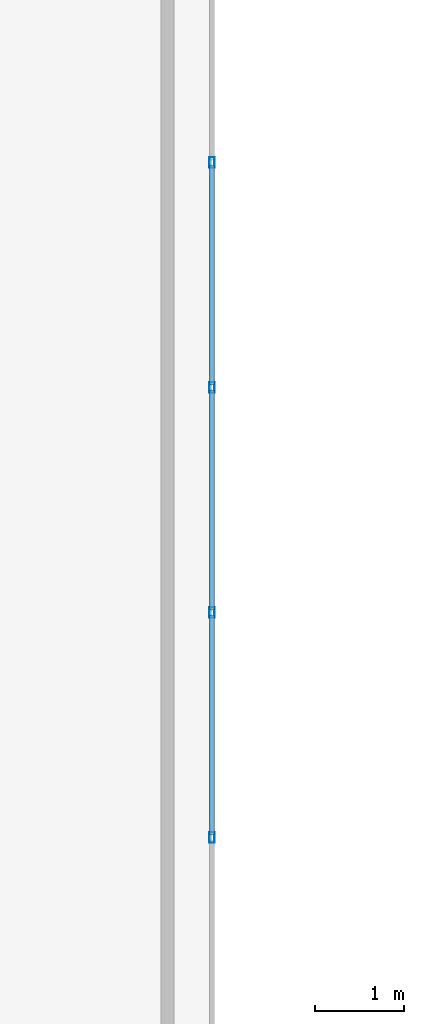
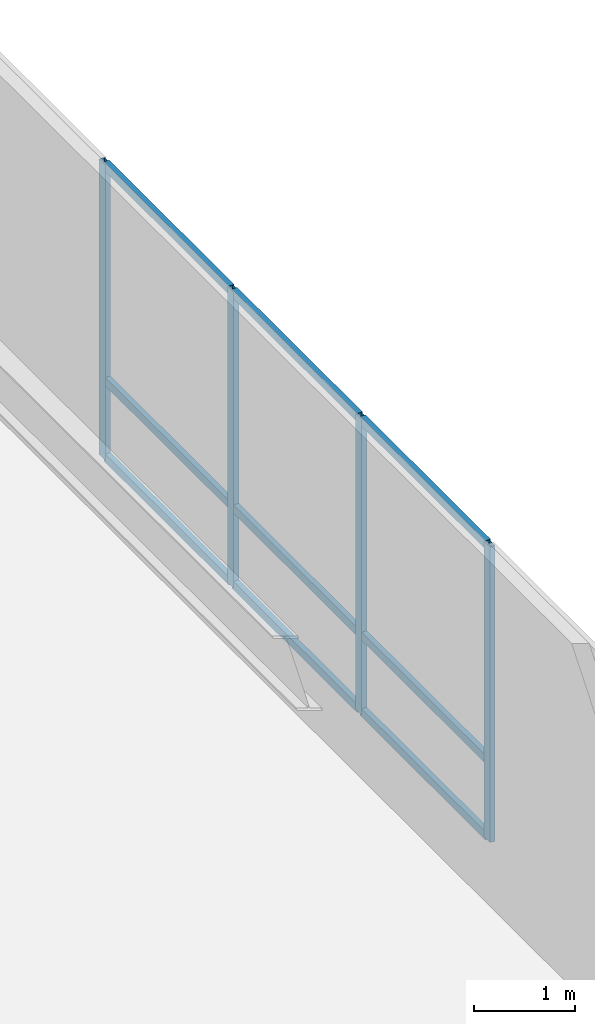
# One storey, part 47 of 115: 13 members, 1 element without a shape of its own.
"""IFC4 building model written with IfcOpenShell, lengths in metres."""

from ifc_helpers import new_model, si_unit, direction, frame, origin, origin_2d, place, context, subcontext, project, spatial, hollow_rectangle, extrude, material, layer, layer_set, material_profile, profile_set, type_object, element, aggregate, save


model = new_model("IFC4")

# Units and contexts
model_context = context("Model", 3, precision=1e-05, world=origin(), true_north=direction((0.0, 1.0)))
body_context = subcontext(model_context, "Body", "Model", "MODEL_VIEW")
ifc_project = project(units=[si_unit("LENGTHUNIT", "METRE"), si_unit("AREAUNIT", "SQUARE_METRE"), si_unit("VOLUMEUNIT", "CUBIC_METRE"), si_unit("PLANEANGLEUNIT", "RADIAN"), si_unit("MASSUNIT", "GRAM", prefix="KILO")], contexts=[model_context])

# Site, building, storey
site_placement = place(None, origin())
site = spatial("IfcSite", under=ifc_project, at=site_placement, CompositionType="ELEMENT")
building_placement = place(site_placement, origin())
building = spatial("IfcBuilding", under=site, at=building_placement, Name="Montelvaro Courts of Justice", CompositionType="ELEMENT")
storey_placement = place(building_placement, frame((0.0, 0.0, 9.89990234375)))
storey = spatial("IfcBuildingStorey", under=building, at=storey_placement, Name="L02", CompositionType="ELEMENT", Elevation=9.89990234375)

# Curtain wall, members
ifc_material = material(Name="Anodised aluminium EN AW-6063", Category="aluminium")
ifc_layer = layer(ifc_material, 0.159912109375)
ifc_layer_set = layer_set([ifc_layer], Name="Anodised aluminium EN AW-6063")
curtain_wall_type = type_object("IfcCurtainWallType", Name="CurtainWall_29_1770x418", PredefinedType="USERDEFINED", material=ifc_layer_set)
curtain_wall_placement = place(storey_placement, origin())
curtain_wall = element("IfcCurtainWall", 1, at=curtain_wall_placement, inside=storey, type_object=curtain_wall_type, Name="Curtain Wall CW-29 (L02)", ObjectType="CURTAIN WALL", PredefinedType="USERDEFINED")
ifc_material_profile_1 = material_profile(ifc_material, hollow_rectangle(XDim=0.06005859375, YDim=0.1201171875, WallThickness=0.00341796875, at=origin_2d()), Name="ALU-M 60x120")
ifc_profile_set_1 = profile_set([ifc_material_profile_1], Name="Anodised aluminium EN AW-6063")
member_type_1 = type_object("IfcMemberType", Name="CurtainWall_Mullion_60x120", PredefinedType="MULLION", material=ifc_profile_set_1)
member_1_placement = place(storey_placement, frame((144.0, 31.62353515625, 0.0), z_axis=(0.0, 0.0, 1.0), x_axis=(-1.0, 0.0, 0.0)))
member_1 = element("IfcMember", 2, at=member_1_placement, type_object=member_type_1, Name="CW-29 mullion 4", PredefinedType="MULLION", context=body_context, shape_type="SweptSolid", body=[
    extrude(hollow_rectangle(XDim=0.06005859375, YDim=0.1201171875, WallThickness=0.00341796875, at=origin_2d()), origin(), (0.0, 0.0, 1.0), 3.56005859375),
])
member_2_placement = place(storey_placement, frame((144.0, 34.1513671875, 0.0), z_axis=(0.0, 0.0, 1.0), x_axis=(-1.0, 0.0, 0.0)))
member_2 = element("IfcMember", 3, at=member_2_placement, type_object=member_type_1, Name="CW-29 mullion 5", PredefinedType="MULLION", context=body_context, shape_type="SweptSolid", body=[
    extrude(hollow_rectangle(XDim=0.06005859375, YDim=0.1201171875, WallThickness=0.00341796875, at=origin_2d()), origin(), (0.0, 0.0, 1.0), 3.56005859375),
])
member_3_placement = place(storey_placement, frame((144.0, 36.67919921875, 0.0), z_axis=(0.0, 0.0, 1.0), x_axis=(-1.0, 0.0, 0.0)))
member_3 = element("IfcMember", 4, at=member_3_placement, type_object=member_type_1, Name="CW-29 mullion 6", PredefinedType="MULLION", context=body_context, shape_type="SweptSolid", body=[
    extrude(hollow_rectangle(XDim=0.06005859375, YDim=0.1201171875, WallThickness=0.00341796875, at=origin_2d()), origin(), (0.0, 0.0, 1.0), 3.56005859375),
])
member_4_placement = place(storey_placement, frame((144.0, 39.20703125, 0.0), z_axis=(0.0, 0.0, 1.0), x_axis=(-1.0, 0.0, 0.0)))
member_4 = element("IfcMember", 5, at=member_4_placement, type_object=member_type_1, Name="CW-29 mullion 7", PredefinedType="MULLION", context=body_context, shape_type="SweptSolid", body=[
    extrude(hollow_rectangle(XDim=0.06005859375, YDim=0.1201171875, WallThickness=0.00341796875, at=origin_2d()), origin(), (0.0, 0.0, 1.0), 3.56005859375),
])
ifc_material_profile_2 = material_profile(ifc_material, hollow_rectangle(XDim=0.06005859375, YDim=0.10009765625, WallThickness=0.00341796875, at=origin_2d()), Name="ALU-T 60x100")
ifc_profile_set_2 = profile_set([ifc_material_profile_2], Name="Anodised aluminium EN AW-6063")
member_type_2 = type_object("IfcMemberType", Name="CurtainWall_Transom_60x100", PredefinedType="USERDEFINED", material=ifc_profile_set_2)
member_5_placement = place(storey_placement, frame((144.0, 31.653564453125, 0.030029296875), z_axis=(0.0, 1.0, 0.0), x_axis=(-1.0, 0.0, 0.0)))
member_5 = element("IfcMember", 6, at=member_5_placement, type_object=member_type_2, Name="CW-29 transom 4.1", ObjectType="TRANSOM", PredefinedType="USERDEFINED", context=body_context, shape_type="SweptSolid", body=[
    extrude(hollow_rectangle(XDim=0.06005859375, YDim=0.10009765625, WallThickness=0.00341796875, at=origin_2d()), origin(), (0.0, 0.0, 1.0), 2.4677734375),
])
member_6_placement = place(storey_placement, frame((144.0, 31.653564453125, 0.9501953125), z_axis=(0.0, 1.0, 0.0), x_axis=(-1.0, 0.0, 0.0)))
member_6 = element("IfcMember", 7, at=member_6_placement, type_object=member_type_2, Name="CW-29 transom 4.2", ObjectType="TRANSOM", PredefinedType="USERDEFINED", context=body_context, shape_type="SweptSolid", body=[
    extrude(hollow_rectangle(XDim=0.06005859375, YDim=0.10009765625, WallThickness=0.00341796875, at=origin_2d()), origin(), (0.0, 0.0, 1.0), 2.4677734375),
])
member_7_placement = place(storey_placement, frame((144.0, 31.653564453125, 3.530029296875), z_axis=(0.0, 1.0, 0.0), x_axis=(-1.0, 0.0, 0.0)))
member_7 = element("IfcMember", 8, at=member_7_placement, type_object=member_type_2, Name="CW-29 transom 4.3", ObjectType="TRANSOM", PredefinedType="USERDEFINED", context=body_context, shape_type="SweptSolid", body=[
    extrude(hollow_rectangle(XDim=0.06005859375, YDim=0.10009765625, WallThickness=0.00341796875, at=origin_2d()), origin(), (0.0, 0.0, 1.0), 2.4677734375),
])
member_8_placement = place(storey_placement, frame((144.0, 34.181396484375, 0.030029296875), z_axis=(0.0, 1.0, 0.0), x_axis=(-1.0, 0.0, 0.0)))
member_8 = element("IfcMember", 9, at=member_8_placement, type_object=member_type_2, Name="CW-29 transom 5.1", ObjectType="TRANSOM", PredefinedType="USERDEFINED", context=body_context, shape_type="SweptSolid", body=[
    extrude(hollow_rectangle(XDim=0.06005859375, YDim=0.10009765625, WallThickness=0.00341796875, at=origin_2d()), origin(), (0.0, 0.0, 1.0), 2.4677734375),
])
member_9_placement = place(storey_placement, frame((144.0, 34.181396484375, 0.9501953125), z_axis=(0.0, 1.0, 0.0), x_axis=(-1.0, 0.0, 0.0)))
member_9 = element("IfcMember", 10, at=member_9_placement, type_object=member_type_2, Name="CW-29 transom 5.2", ObjectType="TRANSOM", PredefinedType="USERDEFINED", context=body_context, shape_type="SweptSolid", body=[
    extrude(hollow_rectangle(XDim=0.06005859375, YDim=0.10009765625, WallThickness=0.00341796875, at=origin_2d()), origin(), (0.0, 0.0, 1.0), 2.4677734375),
])
member_10_placement = place(storey_placement, frame((144.0, 34.181396484375, 3.530029296875), z_axis=(0.0, 1.0, 0.0), x_axis=(-1.0, 0.0, 0.0)))
member_10 = element("IfcMember", 11, at=member_10_placement, type_object=member_type_2, Name="CW-29 transom 5.3", ObjectType="TRANSOM", PredefinedType="USERDEFINED", context=body_context, shape_type="SweptSolid", body=[
    extrude(hollow_rectangle(XDim=0.06005859375, YDim=0.10009765625, WallThickness=0.00341796875, at=origin_2d()), origin(), (0.0, 0.0, 1.0), 2.4677734375),
])
member_11_placement = place(storey_placement, frame((144.0, 36.709228515625, 0.030029296875), z_axis=(0.0, 1.0, 0.0), x_axis=(-1.0, 0.0, 0.0)))
member_11 = element("IfcMember", 12, at=member_11_placement, type_object=member_type_2, Name="CW-29 transom 6.1", ObjectType="TRANSOM", PredefinedType="USERDEFINED", context=body_context, shape_type="SweptSolid", body=[
    extrude(hollow_rectangle(XDim=0.06005859375, YDim=0.10009765625, WallThickness=0.00341796875, at=origin_2d()), origin(), (0.0, 0.0, 1.0), 2.468017578125),
])
member_12_placement = place(storey_placement, frame((144.0, 36.709228515625, 0.9501953125), z_axis=(0.0, 1.0, 0.0), x_axis=(-1.0, 0.0, 0.0)))
member_12 = element("IfcMember", 13, at=member_12_placement, type_object=member_type_2, Name="CW-29 transom 6.2", ObjectType="TRANSOM", PredefinedType="USERDEFINED", context=body_context, shape_type="SweptSolid", body=[
    extrude(hollow_rectangle(XDim=0.06005859375, YDim=0.10009765625, WallThickness=0.00341796875, at=origin_2d()), origin(), (0.0, 0.0, 1.0), 2.468017578125),
])
member_13_placement = place(storey_placement, frame((144.0, 36.709228515625, 3.530029296875), z_axis=(0.0, 1.0, 0.0), x_axis=(-1.0, 0.0, 0.0)))
member_13 = element("IfcMember", 14, at=member_13_placement, type_object=member_type_2, Name="CW-29 transom 6.3", ObjectType="TRANSOM", PredefinedType="USERDEFINED", context=body_context, shape_type="SweptSolid", body=[
    extrude(hollow_rectangle(XDim=0.06005859375, YDim=0.10009765625, WallThickness=0.00341796875, at=origin_2d()), origin(), (0.0, 0.0, 1.0), 2.468017578125),
])
aggregate(curtain_wall, [member_1, member_2, member_3, member_4, member_5, member_6, member_7, member_8, member_9, member_10, member_11, member_12, member_13])

save(model, "model.ifc")
